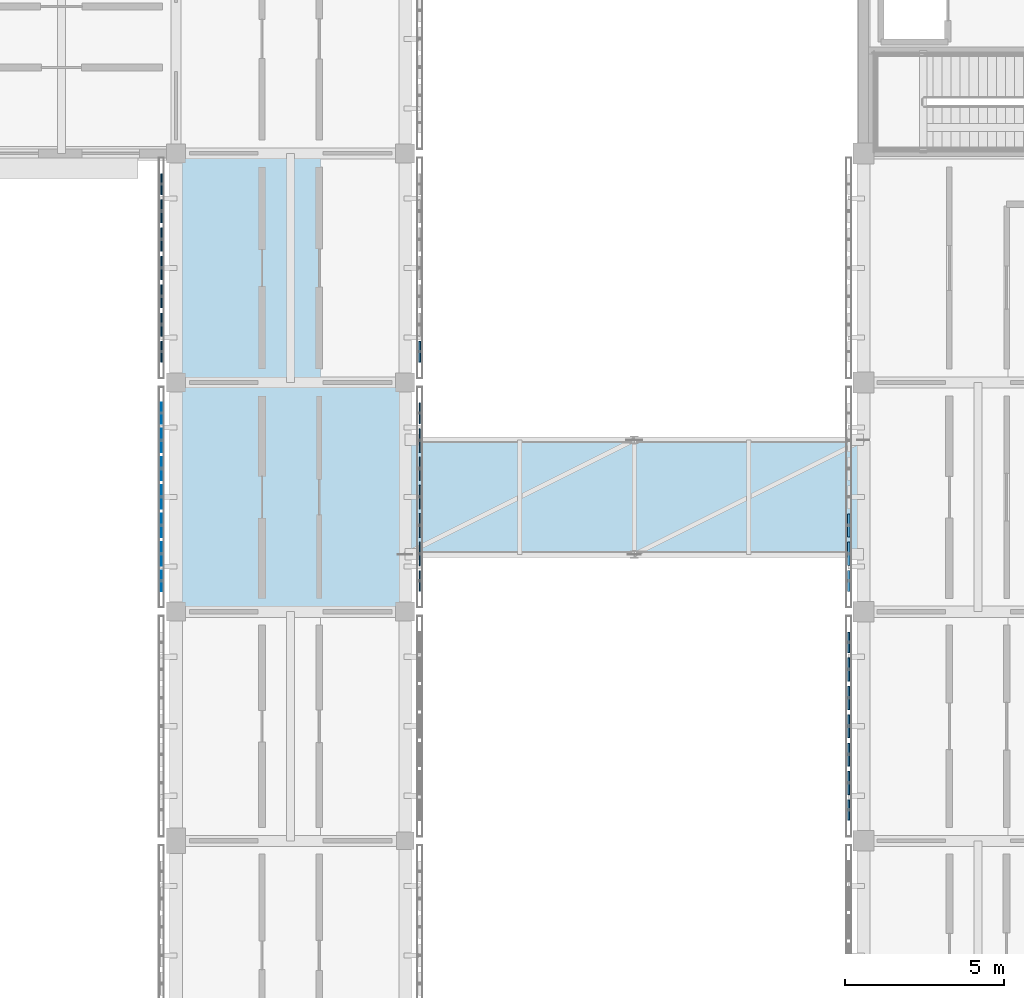
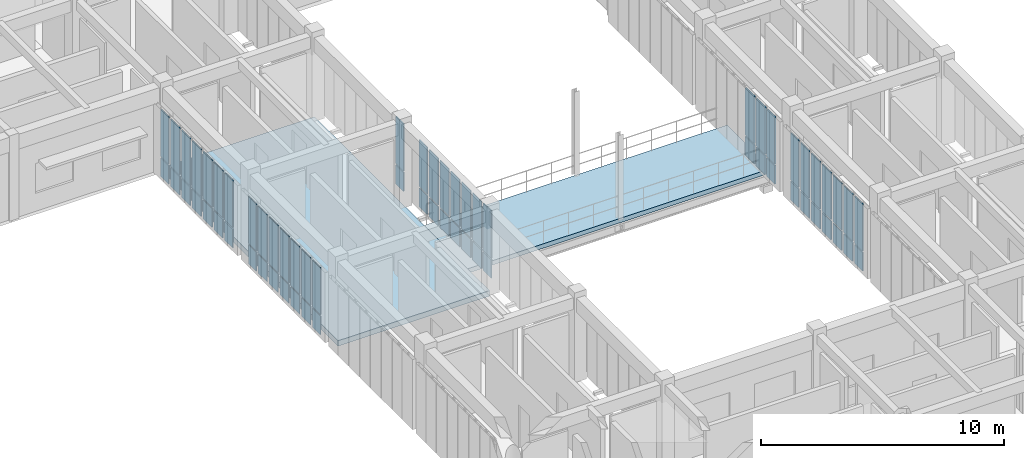
# One storey, part 109 of 171: 64 plates, 2 slabs, 6 elements without a shape of their own.
"""IFC4 building model written with IfcOpenShell, lengths in metres."""

from ifc_helpers import new_model, si_unit, direction, frame, origin, origin_2d, place, context, subcontext, project, spatial, polyline, rectangle, outline, extrude, material, layer, layer_set, type_object, element, aggregate, save


model = new_model("IFC4")

# Units and contexts
model_context = context("Model", 3, precision=1e-05, world=origin(), true_north=direction((0.0, 1.0)))
body_context = subcontext(model_context, "Body", "Model", "MODEL_VIEW")
ifc_project = project(units=[si_unit("LENGTHUNIT", "METRE"), si_unit("AREAUNIT", "SQUARE_METRE"), si_unit("VOLUMEUNIT", "CUBIC_METRE"), si_unit("PLANEANGLEUNIT", "RADIAN"), si_unit("MASSUNIT", "GRAM", prefix="KILO")], contexts=[model_context])

# Site, building, storey
site_placement = place(None, origin())
site = spatial("IfcSite", under=ifc_project, at=site_placement, CompositionType="ELEMENT")
building_placement = place(site_placement, origin())
building = spatial("IfcBuilding", under=site, at=building_placement, Name="Aldebral Square Health Centre", CompositionType="ELEMENT")
storey_placement = place(building_placement, frame((0.0, 0.0, 4.5)))
storey = spatial("IfcBuildingStorey", under=building, at=storey_placement, Name="L01", CompositionType="ELEMENT", Elevation=4.5)

# Curtain wall, plates
ifc_material_1 = material(Name="Aluminium and low-E solar glass", Category="aluminium")
curtain_wall_type = type_object("IfcCurtainWallType", Name="CW-FIN-SYS", PredefinedType="USERDEFINED", material=ifc_material_1)
curtain_wall_1_placement = place(storey_placement, origin())
curtain_wall_1 = element("IfcCurtainWall", 1, at=curtain_wall_1_placement, inside=storey, type_object=curtain_wall_type, Name="L01 V5 finned curtain wall L01-V5-19-11-W", ObjectType="SOLAR_CURTAIN_WALL", PredefinedType="USERDEFINED")
ifc_material_2 = material(Name="Solar-control low-E double glass", Category="glass")
ifc_layer_1 = layer(ifc_material_2, 0.030029296875, Name="Solar-control low-E double glass", Category="glass")
ifc_layer_set_1 = layer_set([ifc_layer_1], Name="Solar-control low-E double glass")
plate_type_1 = type_object("IfcPlateType", Name="CWP-GLZ-2", PredefinedType="CURTAIN_PANEL", material=ifc_layer_set_1)
plate_1_placement = place(storey_placement, frame((136.340087890625, 85.434326171875, 0.074951171875), z_axis=(0.0, 0.0, 1.0), x_axis=(0.0, -1.0, 0.0)))
plate_1 = element("IfcPlate", 2, at=plate_1_placement, type_object=plate_type_1, Name="CW1 panel 1.1", PredefinedType="CURTAIN_PANEL", context=body_context, shape_type="SweptSolid", body=[
    extrude(rectangle(XDim=0.6513671875, YDim=0.030029296875, at=origin_2d()), origin(), (0.0, 0.0, 1.0), 0.9375),
])
plate_2_placement = place(storey_placement, frame((136.340087890625, 85.434326171875, 1.087646484375), z_axis=(0.0, 0.0, 1.0), x_axis=(0.0, -1.0, 0.0)))
plate_2 = element("IfcPlate", 3, at=plate_2_placement, type_object=plate_type_1, Name="CW1 panel 1.2", PredefinedType="CURTAIN_PANEL", context=body_context, shape_type="SweptSolid", body=[
    extrude(rectangle(XDim=0.6513671875, YDim=0.030029296875, at=origin_2d()), origin(), (0.0, 0.0, 1.0), 2.357421875),
])
plate_3_placement = place(storey_placement, frame((136.340087890625, 84.582763671875, 0.074951171875), z_axis=(0.0, 0.0, 1.0), x_axis=(0.0, -1.0, 0.0)))
plate_3 = element("IfcPlate", 4, at=plate_3_placement, type_object=plate_type_1, Name="CW1 panel 2.1", PredefinedType="CURTAIN_PANEL", context=body_context, shape_type="SweptSolid", body=[
    extrude(rectangle(XDim=0.7314453125, YDim=0.030029296875, at=origin_2d()), origin(), (0.0, 0.0, 1.0), 0.9375),
])
plate_4_placement = place(storey_placement, frame((136.340087890625, 84.582763671875, 1.087646484375), z_axis=(0.0, 0.0, 1.0), x_axis=(0.0, -1.0, 0.0)))
plate_4 = element("IfcPlate", 5, at=plate_4_placement, type_object=plate_type_1, Name="CW1 panel 2.2", PredefinedType="CURTAIN_PANEL", context=body_context, shape_type="SweptSolid", body=[
    extrude(rectangle(XDim=0.7314453125, YDim=0.030029296875, at=origin_2d()), origin(), (0.0, 0.0, 1.0), 2.357421875),
])
plate_5_placement = place(storey_placement, frame((136.340087890625, 83.69140625, 0.074951171875), z_axis=(0.0, 0.0, 1.0), x_axis=(0.0, -1.0, 0.0)))
plate_5 = element("IfcPlate", 6, at=plate_5_placement, type_object=plate_type_1, Name="CW1 panel 3.1", PredefinedType="CURTAIN_PANEL", context=body_context, shape_type="SweptSolid", body=[
    extrude(rectangle(XDim=0.7314453125, YDim=0.030029296875, at=origin_2d()), origin(), (0.0, 0.0, 1.0), 0.9375),
])
plate_6_placement = place(storey_placement, frame((136.340087890625, 83.69140625, 1.087646484375), z_axis=(0.0, 0.0, 1.0), x_axis=(0.0, -1.0, 0.0)))
plate_6 = element("IfcPlate", 7, at=plate_6_placement, type_object=plate_type_1, Name="CW1 panel 3.2", PredefinedType="CURTAIN_PANEL", context=body_context, shape_type="SweptSolid", body=[
    extrude(rectangle(XDim=0.7314453125, YDim=0.030029296875, at=origin_2d()), origin(), (0.0, 0.0, 1.0), 2.357421875),
])
plate_7_placement = place(storey_placement, frame((136.340087890625, 82.800048828125, 0.074951171875), z_axis=(0.0, 0.0, 1.0), x_axis=(0.0, -1.0, 0.0)))
plate_7 = element("IfcPlate", 8, at=plate_7_placement, type_object=plate_type_1, Name="CW1 panel 4.1", PredefinedType="CURTAIN_PANEL", context=body_context, shape_type="SweptSolid", body=[
    extrude(rectangle(XDim=0.7314453125, YDim=0.030029296875, at=origin_2d()), origin(), (0.0, 0.0, 1.0), 0.9375),
])
plate_8_placement = place(storey_placement, frame((136.340087890625, 82.800048828125, 1.087646484375), z_axis=(0.0, 0.0, 1.0), x_axis=(0.0, -1.0, 0.0)))
plate_8 = element("IfcPlate", 9, at=plate_8_placement, type_object=plate_type_1, Name="CW1 panel 4.2", PredefinedType="CURTAIN_PANEL", context=body_context, shape_type="SweptSolid", body=[
    extrude(rectangle(XDim=0.7314453125, YDim=0.030029296875, at=origin_2d()), origin(), (0.0, 0.0, 1.0), 2.357421875),
])
plate_9_placement = place(storey_placement, frame((136.340087890625, 81.90869140625, 0.074951171875), z_axis=(0.0, 0.0, 1.0), x_axis=(0.0, -1.0, 0.0)))
plate_9 = element("IfcPlate", 10, at=plate_9_placement, type_object=plate_type_1, Name="CW1 panel 5.1", PredefinedType="CURTAIN_PANEL", context=body_context, shape_type="SweptSolid", body=[
    extrude(rectangle(XDim=0.7314453125, YDim=0.030029296875, at=origin_2d()), origin(), (0.0, 0.0, 1.0), 0.9375),
])
plate_10_placement = place(storey_placement, frame((136.340087890625, 81.90869140625, 1.087646484375), z_axis=(0.0, 0.0, 1.0), x_axis=(0.0, -1.0, 0.0)))
plate_10 = element("IfcPlate", 11, at=plate_10_placement, type_object=plate_type_1, Name="CW1 panel 5.2", PredefinedType="CURTAIN_PANEL", context=body_context, shape_type="SweptSolid", body=[
    extrude(rectangle(XDim=0.7314453125, YDim=0.030029296875, at=origin_2d()), origin(), (0.0, 0.0, 1.0), 2.357421875),
])
plate_11_placement = place(storey_placement, frame((136.340087890625, 81.01708984375, 0.074951171875), z_axis=(0.0, 0.0, 1.0), x_axis=(0.0, -1.0, 0.0)))
plate_11 = element("IfcPlate", 12, at=plate_11_placement, type_object=plate_type_1, Name="CW1 panel 6.1", PredefinedType="CURTAIN_PANEL", context=body_context, shape_type="SweptSolid", body=[
    extrude(rectangle(XDim=0.7314453125, YDim=0.030029296875, at=origin_2d()), origin(), (0.0, 0.0, 1.0), 0.9375),
])
plate_12_placement = place(storey_placement, frame((136.340087890625, 81.01708984375, 1.087646484375), z_axis=(0.0, 0.0, 1.0), x_axis=(0.0, -1.0, 0.0)))
plate_12 = element("IfcPlate", 13, at=plate_12_placement, type_object=plate_type_1, Name="CW1 panel 6.2", PredefinedType="CURTAIN_PANEL", context=body_context, shape_type="SweptSolid", body=[
    extrude(rectangle(XDim=0.7314453125, YDim=0.030029296875, at=origin_2d()), origin(), (0.0, 0.0, 1.0), 2.357421875),
])
plate_13_placement = place(storey_placement, frame((136.340087890625, 80.165771484375, 0.074951171875), z_axis=(0.0, 0.0, 1.0), x_axis=(0.0, -1.0, 0.0)))
plate_13 = element("IfcPlate", 14, at=plate_13_placement, type_object=plate_type_1, Name="CW1 panel 7.1", PredefinedType="CURTAIN_PANEL", context=body_context, shape_type="SweptSolid", body=[
    extrude(rectangle(XDim=0.6513671875, YDim=0.030029296875, at=origin_2d()), origin(), (0.0, 0.0, 1.0), 0.9375),
])
plate_14_placement = place(storey_placement, frame((136.340087890625, 80.165771484375, 1.087646484375), z_axis=(0.0, 0.0, 1.0), x_axis=(0.0, -1.0, 0.0)))
plate_14 = element("IfcPlate", 15, at=plate_14_placement, type_object=plate_type_1, Name="CW1 panel 7.2", PredefinedType="CURTAIN_PANEL", context=body_context, shape_type="SweptSolid", body=[
    extrude(rectangle(XDim=0.6513671875, YDim=0.030029296875, at=origin_2d()), origin(), (0.0, 0.0, 1.0), 2.357421875),
])
aggregate(curtain_wall_1, [plate_1, plate_2, plate_3, plate_4, plate_5, plate_6, plate_7, plate_8, plate_9, plate_10, plate_11, plate_12, plate_13, plate_14])

curtain_wall_2_placement = place(storey_placement, origin())
curtain_wall_2 = element("IfcCurtainWall", 16, at=curtain_wall_2_placement, inside=storey, type_object=curtain_wall_type, Name="L01 V5 finned curtain wall L01-V5-19-11-E", ObjectType="SOLAR_CURTAIN_WALL", PredefinedType="USERDEFINED")
ifc_layer_2 = layer(ifc_material_2, 0.0400390625, Name="Solar-control low-E double glass", Category="glass")
ifc_layer_set_2 = layer_set([ifc_layer_2], Name="Solar-control low-E double glass")
plate_type_2 = type_object("IfcPlateType", Name="CWP-GLZ-3", PredefinedType="CURTAIN_PANEL", material=ifc_layer_set_2)
plate_15_placement = place(storey_placement, frame((144.4599609375, 80.165771484375, 0.074951171875), z_axis=(0.0, 0.0, 1.0), x_axis=(0.0, 1.0, 0.0)))
plate_15 = element("IfcPlate", 17, at=plate_15_placement, type_object=plate_type_2, Name="CW1 panel 1.1", PredefinedType="CURTAIN_PANEL", context=body_context, shape_type="SweptSolid", body=[
    extrude(rectangle(XDim=0.6513671875, YDim=0.0400390625, at=origin_2d()), origin(), (0.0, 0.0, 1.0), 0.9375),
])
plate_16_placement = place(storey_placement, frame((144.4599609375, 80.165771484375, 1.087646484375), z_axis=(0.0, 0.0, 1.0), x_axis=(0.0, 1.0, 0.0)))
plate_16 = element("IfcPlate", 18, at=plate_16_placement, type_object=plate_type_2, Name="CW1 panel 1.2", PredefinedType="CURTAIN_PANEL", context=body_context, shape_type="SweptSolid", body=[
    extrude(rectangle(XDim=0.6513671875, YDim=0.0400390625, at=origin_2d()), origin(), (0.0, 0.0, 1.0), 2.357421875),
])
plate_17_placement = place(storey_placement, frame((144.4599609375, 81.01708984375, 0.074951171875), z_axis=(0.0, 0.0, 1.0), x_axis=(0.0, 1.0, 0.0)))
plate_17 = element("IfcPlate", 19, at=plate_17_placement, type_object=plate_type_2, Name="CW1 panel 2.1", PredefinedType="CURTAIN_PANEL", context=body_context, shape_type="SweptSolid", body=[
    extrude(rectangle(XDim=0.7314453125, YDim=0.0400390625, at=origin_2d()), origin(), (0.0, 0.0, 1.0), 0.9375),
])
plate_18_placement = place(storey_placement, frame((144.4599609375, 81.01708984375, 1.087646484375), z_axis=(0.0, 0.0, 1.0), x_axis=(0.0, 1.0, 0.0)))
plate_18 = element("IfcPlate", 20, at=plate_18_placement, type_object=plate_type_2, Name="CW1 panel 2.2", PredefinedType="CURTAIN_PANEL", context=body_context, shape_type="SweptSolid", body=[
    extrude(rectangle(XDim=0.7314453125, YDim=0.0400390625, at=origin_2d()), origin(), (0.0, 0.0, 1.0), 2.357421875),
])
plate_19_placement = place(storey_placement, frame((144.4599609375, 81.90869140625, 0.074951171875), z_axis=(0.0, 0.0, 1.0), x_axis=(0.0, 1.0, 0.0)))
plate_19 = element("IfcPlate", 21, at=plate_19_placement, type_object=plate_type_2, Name="CW1 panel 3.1", PredefinedType="CURTAIN_PANEL", context=body_context, shape_type="SweptSolid", body=[
    extrude(rectangle(XDim=0.7314453125, YDim=0.0400390625, at=origin_2d()), origin(), (0.0, 0.0, 1.0), 0.9375),
])
plate_20_placement = place(storey_placement, frame((144.4599609375, 81.90869140625, 1.087646484375), z_axis=(0.0, 0.0, 1.0), x_axis=(0.0, 1.0, 0.0)))
plate_20 = element("IfcPlate", 22, at=plate_20_placement, type_object=plate_type_2, Name="CW1 panel 3.2", PredefinedType="CURTAIN_PANEL", context=body_context, shape_type="SweptSolid", body=[
    extrude(rectangle(XDim=0.7314453125, YDim=0.0400390625, at=origin_2d()), origin(), (0.0, 0.0, 1.0), 2.357421875),
])
plate_21_placement = place(storey_placement, frame((144.4599609375, 82.800048828125, 0.074951171875), z_axis=(0.0, 0.0, 1.0), x_axis=(0.0, 1.0, 0.0)))
plate_21 = element("IfcPlate", 23, at=plate_21_placement, type_object=plate_type_2, Name="CW1 panel 4.1", PredefinedType="CURTAIN_PANEL", context=body_context, shape_type="SweptSolid", body=[
    extrude(rectangle(XDim=0.7314453125, YDim=0.0400390625, at=origin_2d()), origin(), (0.0, 0.0, 1.0), 0.9375),
])
plate_22_placement = place(storey_placement, frame((144.4599609375, 82.800048828125, 1.087646484375), z_axis=(0.0, 0.0, 1.0), x_axis=(0.0, 1.0, 0.0)))
plate_22 = element("IfcPlate", 24, at=plate_22_placement, type_object=plate_type_2, Name="CW1 panel 4.2", PredefinedType="CURTAIN_PANEL", context=body_context, shape_type="SweptSolid", body=[
    extrude(rectangle(XDim=0.7314453125, YDim=0.0400390625, at=origin_2d()), origin(), (0.0, 0.0, 1.0), 2.357421875),
])
plate_23_placement = place(storey_placement, frame((144.4599609375, 83.69140625, 0.074951171875), z_axis=(0.0, 0.0, 1.0), x_axis=(0.0, 1.0, 0.0)))
plate_23 = element("IfcPlate", 25, at=plate_23_placement, type_object=plate_type_2, Name="CW1 panel 5.1", PredefinedType="CURTAIN_PANEL", context=body_context, shape_type="SweptSolid", body=[
    extrude(rectangle(XDim=0.7314453125, YDim=0.0400390625, at=origin_2d()), origin(), (0.0, 0.0, 1.0), 0.9375),
])
plate_24_placement = place(storey_placement, frame((144.4599609375, 83.69140625, 1.087646484375), z_axis=(0.0, 0.0, 1.0), x_axis=(0.0, 1.0, 0.0)))
plate_24 = element("IfcPlate", 26, at=plate_24_placement, type_object=plate_type_2, Name="CW1 panel 5.2", PredefinedType="CURTAIN_PANEL", context=body_context, shape_type="SweptSolid", body=[
    extrude(rectangle(XDim=0.7314453125, YDim=0.0400390625, at=origin_2d()), origin(), (0.0, 0.0, 1.0), 2.357421875),
])
plate_25_placement = place(storey_placement, frame((144.4599609375, 84.582763671875, 0.074951171875), z_axis=(0.0, 0.0, 1.0), x_axis=(0.0, 1.0, 0.0)))
plate_25 = element("IfcPlate", 27, at=plate_25_placement, type_object=plate_type_2, Name="CW1 panel 6.1", PredefinedType="CURTAIN_PANEL", context=body_context, shape_type="SweptSolid", body=[
    extrude(rectangle(XDim=0.7314453125, YDim=0.0400390625, at=origin_2d()), origin(), (0.0, 0.0, 1.0), 0.9375),
])
plate_26_placement = place(storey_placement, frame((144.4599609375, 84.582763671875, 1.087646484375), z_axis=(0.0, 0.0, 1.0), x_axis=(0.0, 1.0, 0.0)))
plate_26 = element("IfcPlate", 28, at=plate_26_placement, type_object=plate_type_2, Name="CW1 panel 6.2", PredefinedType="CURTAIN_PANEL", context=body_context, shape_type="SweptSolid", body=[
    extrude(rectangle(XDim=0.7314453125, YDim=0.0400390625, at=origin_2d()), origin(), (0.0, 0.0, 1.0), 2.357421875),
])
plate_27_placement = place(storey_placement, frame((144.4599609375, 85.434326171875, 0.074951171875), z_axis=(0.0, 0.0, 1.0), x_axis=(0.0, 1.0, 0.0)))
plate_27 = element("IfcPlate", 29, at=plate_27_placement, type_object=plate_type_2, Name="CW1 panel 7.1", PredefinedType="CURTAIN_PANEL", context=body_context, shape_type="SweptSolid", body=[
    extrude(rectangle(XDim=0.6513671875, YDim=0.0400390625, at=origin_2d()), origin(), (0.0, 0.0, 1.0), 0.9375),
])
plate_28_placement = place(storey_placement, frame((144.4599609375, 85.434326171875, 1.087646484375), z_axis=(0.0, 0.0, 1.0), x_axis=(0.0, 1.0, 0.0)))
plate_28 = element("IfcPlate", 30, at=plate_28_placement, type_object=plate_type_2, Name="CW1 panel 7.2", PredefinedType="CURTAIN_PANEL", context=body_context, shape_type="SweptSolid", body=[
    extrude(rectangle(XDim=0.6513671875, YDim=0.0400390625, at=origin_2d()), origin(), (0.0, 0.0, 1.0), 2.357421875),
])
aggregate(curtain_wall_2, [plate_15, plate_16, plate_17, plate_18, plate_19, plate_20, plate_21, plate_22, plate_23, plate_24, plate_25, plate_26, plate_27, plate_28])

curtain_wall_3_placement = place(storey_placement, origin())
curtain_wall_3 = element("IfcCurtainWall", 31, at=curtain_wall_3_placement, inside=storey, type_object=curtain_wall_type, Name="L01 V5 finned curtain wall L01-V5-19-12-W", ObjectType="SOLAR_CURTAIN_WALL", PredefinedType="USERDEFINED")
ifc_layer_3 = layer(ifc_material_2, 0.050048828125, Name="Solar-control low-E double glass", Category="glass")
ifc_layer_set_3 = layer_set([ifc_layer_3], Name="Solar-control low-E double glass")
plate_type_3 = type_object("IfcPlateType", Name="CWP-GLZ-4", PredefinedType="CURTAIN_PANEL", material=ifc_layer_set_3)
plate_29_placement = place(storey_placement, frame((136.340087890625, 92.63427734375, 0.074951171875), z_axis=(0.0, 0.0, 1.0), x_axis=(0.0, -1.0, 0.0)))
plate_29 = element("IfcPlate", 32, at=plate_29_placement, type_object=plate_type_3, Name="CW1 panel 1.1", PredefinedType="CURTAIN_PANEL", context=body_context, shape_type="SweptSolid", body=[
    extrude(rectangle(XDim=0.6513671875, YDim=0.050048828125, at=origin_2d()), origin(), (0.0, 0.0, 1.0), 0.9375),
])
plate_30_placement = place(storey_placement, frame((136.340087890625, 92.63427734375, 1.087646484375), z_axis=(0.0, 0.0, 1.0), x_axis=(0.0, -1.0, 0.0)))
plate_30 = element("IfcPlate", 33, at=plate_30_placement, type_object=plate_type_3, Name="CW1 panel 1.2", PredefinedType="CURTAIN_PANEL", context=body_context, shape_type="SweptSolid", body=[
    extrude(rectangle(XDim=0.6513671875, YDim=0.050048828125, at=origin_2d()), origin(), (0.0, 0.0, 1.0), 2.357421875),
])
plate_31_placement = place(storey_placement, frame((136.340087890625, 91.782958984375, 0.074951171875), z_axis=(0.0, 0.0, 1.0), x_axis=(0.0, -1.0, 0.0)))
plate_31 = element("IfcPlate", 34, at=plate_31_placement, type_object=plate_type_3, Name="CW1 panel 2.1", PredefinedType="CURTAIN_PANEL", context=body_context, shape_type="SweptSolid", body=[
    extrude(rectangle(XDim=0.7314453125, YDim=0.050048828125, at=origin_2d()), origin(), (0.0, 0.0, 1.0), 0.9375),
])
plate_32_placement = place(storey_placement, frame((136.340087890625, 91.782958984375, 1.087646484375), z_axis=(0.0, 0.0, 1.0), x_axis=(0.0, -1.0, 0.0)))
plate_32 = element("IfcPlate", 35, at=plate_32_placement, type_object=plate_type_3, Name="CW1 panel 2.2", PredefinedType="CURTAIN_PANEL", context=body_context, shape_type="SweptSolid", body=[
    extrude(rectangle(XDim=0.7314453125, YDim=0.050048828125, at=origin_2d()), origin(), (0.0, 0.0, 1.0), 2.357421875),
])
plate_33_placement = place(storey_placement, frame((136.340087890625, 90.891357421875, 0.074951171875), z_axis=(0.0, 0.0, 1.0), x_axis=(0.0, -1.0, 0.0)))
plate_33 = element("IfcPlate", 36, at=plate_33_placement, type_object=plate_type_3, Name="CW1 panel 3.1", PredefinedType="CURTAIN_PANEL", context=body_context, shape_type="SweptSolid", body=[
    extrude(rectangle(XDim=0.7314453125, YDim=0.050048828125, at=origin_2d()), origin(), (0.0, 0.0, 1.0), 0.9375),
])
plate_34_placement = place(storey_placement, frame((136.340087890625, 90.891357421875, 1.087646484375), z_axis=(0.0, 0.0, 1.0), x_axis=(0.0, -1.0, 0.0)))
plate_34 = element("IfcPlate", 37, at=plate_34_placement, type_object=plate_type_3, Name="CW1 panel 3.2", PredefinedType="CURTAIN_PANEL", context=body_context, shape_type="SweptSolid", body=[
    extrude(rectangle(XDim=0.7314453125, YDim=0.050048828125, at=origin_2d()), origin(), (0.0, 0.0, 1.0), 2.357421875),
])
plate_35_placement = place(storey_placement, frame((136.340087890625, 90.0, 0.074951171875), z_axis=(0.0, 0.0, 1.0), x_axis=(0.0, -1.0, 0.0)))
plate_35 = element("IfcPlate", 38, at=plate_35_placement, type_object=plate_type_3, Name="CW1 panel 4.1", PredefinedType="CURTAIN_PANEL", context=body_context, shape_type="SweptSolid", body=[
    extrude(rectangle(XDim=0.7314453125, YDim=0.050048828125, at=origin_2d()), origin(), (0.0, 0.0, 1.0), 0.9375),
])
plate_36_placement = place(storey_placement, frame((136.340087890625, 90.0, 1.087646484375), z_axis=(0.0, 0.0, 1.0), x_axis=(0.0, -1.0, 0.0)))
plate_36 = element("IfcPlate", 39, at=plate_36_placement, type_object=plate_type_3, Name="CW1 panel 4.2", PredefinedType="CURTAIN_PANEL", context=body_context, shape_type="SweptSolid", body=[
    extrude(rectangle(XDim=0.7314453125, YDim=0.050048828125, at=origin_2d()), origin(), (0.0, 0.0, 1.0), 2.357421875),
])
plate_37_placement = place(storey_placement, frame((136.340087890625, 89.108642578125, 0.074951171875), z_axis=(0.0, 0.0, 1.0), x_axis=(0.0, -1.0, 0.0)))
plate_37 = element("IfcPlate", 40, at=plate_37_placement, type_object=plate_type_3, Name="CW1 panel 5.1", PredefinedType="CURTAIN_PANEL", context=body_context, shape_type="SweptSolid", body=[
    extrude(rectangle(XDim=0.7314453125, YDim=0.050048828125, at=origin_2d()), origin(), (0.0, 0.0, 1.0), 0.9375),
])
plate_38_placement = place(storey_placement, frame((136.340087890625, 89.108642578125, 1.087646484375), z_axis=(0.0, 0.0, 1.0), x_axis=(0.0, -1.0, 0.0)))
plate_38 = element("IfcPlate", 41, at=plate_38_placement, type_object=plate_type_3, Name="CW1 panel 5.2", PredefinedType="CURTAIN_PANEL", context=body_context, shape_type="SweptSolid", body=[
    extrude(rectangle(XDim=0.7314453125, YDim=0.050048828125, at=origin_2d()), origin(), (0.0, 0.0, 1.0), 2.357421875),
])
plate_39_placement = place(storey_placement, frame((136.340087890625, 88.217041015625, 0.074951171875), z_axis=(0.0, 0.0, 1.0), x_axis=(0.0, -1.0, 0.0)))
plate_39 = element("IfcPlate", 42, at=plate_39_placement, type_object=plate_type_3, Name="CW1 panel 6.1", PredefinedType="CURTAIN_PANEL", context=body_context, shape_type="SweptSolid", body=[
    extrude(rectangle(XDim=0.7314453125, YDim=0.050048828125, at=origin_2d()), origin(), (0.0, 0.0, 1.0), 0.9375),
])
plate_40_placement = place(storey_placement, frame((136.340087890625, 88.217041015625, 1.087646484375), z_axis=(0.0, 0.0, 1.0), x_axis=(0.0, -1.0, 0.0)))
plate_40 = element("IfcPlate", 43, at=plate_40_placement, type_object=plate_type_3, Name="CW1 panel 6.2", PredefinedType="CURTAIN_PANEL", context=body_context, shape_type="SweptSolid", body=[
    extrude(rectangle(XDim=0.7314453125, YDim=0.050048828125, at=origin_2d()), origin(), (0.0, 0.0, 1.0), 2.357421875),
])
plate_41_placement = place(storey_placement, frame((136.340087890625, 87.36572265625, 0.074951171875), z_axis=(0.0, 0.0, 1.0), x_axis=(0.0, -1.0, 0.0)))
plate_41 = element("IfcPlate", 44, at=plate_41_placement, type_object=plate_type_3, Name="CW1 panel 7.1", PredefinedType="CURTAIN_PANEL", context=body_context, shape_type="SweptSolid", body=[
    extrude(rectangle(XDim=0.6513671875, YDim=0.050048828125, at=origin_2d()), origin(), (0.0, 0.0, 1.0), 0.9375),
])
plate_42_placement = place(storey_placement, frame((136.340087890625, 87.36572265625, 1.087646484375), z_axis=(0.0, 0.0, 1.0), x_axis=(0.0, -1.0, 0.0)))
plate_42 = element("IfcPlate", 45, at=plate_42_placement, type_object=plate_type_3, Name="CW1 panel 7.2", PredefinedType="CURTAIN_PANEL", context=body_context, shape_type="SweptSolid", body=[
    extrude(rectangle(XDim=0.6513671875, YDim=0.050048828125, at=origin_2d()), origin(), (0.0, 0.0, 1.0), 2.357421875),
])
aggregate(curtain_wall_3, [plate_29, plate_30, plate_31, plate_32, plate_33, plate_34, plate_35, plate_36, plate_37, plate_38, plate_39, plate_40, plate_41, plate_42])

curtain_wall_4_placement = place(storey_placement, origin())
curtain_wall_4 = element("IfcCurtainWall", 46, at=curtain_wall_4_placement, inside=storey, type_object=curtain_wall_type, Name="L01 V5 finned curtain wall L01-V5-22-10-W", ObjectType="SOLAR_CURTAIN_WALL", PredefinedType="USERDEFINED")
plate_43_placement = place(storey_placement, frame((157.93994140625, 78.234375, 0.074951171875), z_axis=(0.0, 0.0, 1.0), x_axis=(0.0, -1.0, 0.0)))
plate_43 = element("IfcPlate", 47, at=plate_43_placement, type_object=plate_type_3, Name="CW1 panel 1.1", PredefinedType="CURTAIN_PANEL", context=body_context, shape_type="SweptSolid", body=[
    extrude(rectangle(XDim=0.6513671875, YDim=0.050048828125, at=origin_2d()), origin(), (0.0, 0.0, 1.0), 0.9375),
])
plate_44_placement = place(storey_placement, frame((157.93994140625, 78.234375, 1.087646484375), z_axis=(0.0, 0.0, 1.0), x_axis=(0.0, -1.0, 0.0)))
plate_44 = element("IfcPlate", 48, at=plate_44_placement, type_object=plate_type_3, Name="CW1 panel 1.2", PredefinedType="CURTAIN_PANEL", context=body_context, shape_type="SweptSolid", body=[
    extrude(rectangle(XDim=0.6513671875, YDim=0.050048828125, at=origin_2d()), origin(), (0.0, 0.0, 1.0), 2.357421875),
])
plate_45_placement = place(storey_placement, frame((157.93994140625, 77.3828125, 0.074951171875), z_axis=(0.0, 0.0, 1.0), x_axis=(0.0, -1.0, 0.0)))
plate_45 = element("IfcPlate", 49, at=plate_45_placement, type_object=plate_type_3, Name="CW1 panel 2.1", PredefinedType="CURTAIN_PANEL", context=body_context, shape_type="SweptSolid", body=[
    extrude(rectangle(XDim=0.7314453125, YDim=0.050048828125, at=origin_2d()), origin(), (0.0, 0.0, 1.0), 0.9375),
])
plate_46_placement = place(storey_placement, frame((157.93994140625, 77.3828125, 1.087646484375), z_axis=(0.0, 0.0, 1.0), x_axis=(0.0, -1.0, 0.0)))
plate_46 = element("IfcPlate", 50, at=plate_46_placement, type_object=plate_type_3, Name="CW1 panel 2.2", PredefinedType="CURTAIN_PANEL", context=body_context, shape_type="SweptSolid", body=[
    extrude(rectangle(XDim=0.7314453125, YDim=0.050048828125, at=origin_2d()), origin(), (0.0, 0.0, 1.0), 2.357421875),
])
plate_47_placement = place(storey_placement, frame((157.93994140625, 76.491455078125, 0.074951171875), z_axis=(0.0, 0.0, 1.0), x_axis=(0.0, -1.0, 0.0)))
plate_47 = element("IfcPlate", 51, at=plate_47_placement, type_object=plate_type_3, Name="CW1 panel 3.1", PredefinedType="CURTAIN_PANEL", context=body_context, shape_type="SweptSolid", body=[
    extrude(rectangle(XDim=0.7314453125, YDim=0.050048828125, at=origin_2d()), origin(), (0.0, 0.0, 1.0), 0.9375),
])
plate_48_placement = place(storey_placement, frame((157.93994140625, 76.491455078125, 1.087646484375), z_axis=(0.0, 0.0, 1.0), x_axis=(0.0, -1.0, 0.0)))
plate_48 = element("IfcPlate", 52, at=plate_48_placement, type_object=plate_type_3, Name="CW1 panel 3.2", PredefinedType="CURTAIN_PANEL", context=body_context, shape_type="SweptSolid", body=[
    extrude(rectangle(XDim=0.7314453125, YDim=0.050048828125, at=origin_2d()), origin(), (0.0, 0.0, 1.0), 2.357421875),
])
plate_49_placement = place(storey_placement, frame((157.93994140625, 75.60009765625, 0.074951171875), z_axis=(0.0, 0.0, 1.0), x_axis=(0.0, -1.0, 0.0)))
plate_49 = element("IfcPlate", 53, at=plate_49_placement, type_object=plate_type_3, Name="CW1 panel 4.1", PredefinedType="CURTAIN_PANEL", context=body_context, shape_type="SweptSolid", body=[
    extrude(rectangle(XDim=0.7314453125, YDim=0.050048828125, at=origin_2d()), origin(), (0.0, 0.0, 1.0), 0.9375),
])
plate_50_placement = place(storey_placement, frame((157.93994140625, 75.60009765625, 1.087646484375), z_axis=(0.0, 0.0, 1.0), x_axis=(0.0, -1.0, 0.0)))
plate_50 = element("IfcPlate", 54, at=plate_50_placement, type_object=plate_type_3, Name="CW1 panel 4.2", PredefinedType="CURTAIN_PANEL", context=body_context, shape_type="SweptSolid", body=[
    extrude(rectangle(XDim=0.7314453125, YDim=0.050048828125, at=origin_2d()), origin(), (0.0, 0.0, 1.0), 2.357421875),
])
plate_51_placement = place(storey_placement, frame((157.93994140625, 74.70849609375, 0.074951171875), z_axis=(0.0, 0.0, 1.0), x_axis=(0.0, -1.0, 0.0)))
plate_51 = element("IfcPlate", 55, at=plate_51_placement, type_object=plate_type_3, Name="CW1 panel 5.1", PredefinedType="CURTAIN_PANEL", context=body_context, shape_type="SweptSolid", body=[
    extrude(rectangle(XDim=0.7314453125, YDim=0.050048828125, at=origin_2d()), origin(), (0.0, 0.0, 1.0), 0.9375),
])
plate_52_placement = place(storey_placement, frame((157.93994140625, 74.70849609375, 1.087646484375), z_axis=(0.0, 0.0, 1.0), x_axis=(0.0, -1.0, 0.0)))
plate_52 = element("IfcPlate", 56, at=plate_52_placement, type_object=plate_type_3, Name="CW1 panel 5.2", PredefinedType="CURTAIN_PANEL", context=body_context, shape_type="SweptSolid", body=[
    extrude(rectangle(XDim=0.7314453125, YDim=0.050048828125, at=origin_2d()), origin(), (0.0, 0.0, 1.0), 2.357421875),
])
plate_53_placement = place(storey_placement, frame((157.93994140625, 73.817138671875, 0.074951171875), z_axis=(0.0, 0.0, 1.0), x_axis=(0.0, -1.0, 0.0)))
plate_53 = element("IfcPlate", 57, at=plate_53_placement, type_object=plate_type_3, Name="CW1 panel 6.1", PredefinedType="CURTAIN_PANEL", context=body_context, shape_type="SweptSolid", body=[
    extrude(rectangle(XDim=0.7314453125, YDim=0.050048828125, at=origin_2d()), origin(), (0.0, 0.0, 1.0), 0.9375),
])
plate_54_placement = place(storey_placement, frame((157.93994140625, 73.817138671875, 1.087646484375), z_axis=(0.0, 0.0, 1.0), x_axis=(0.0, -1.0, 0.0)))
plate_54 = element("IfcPlate", 58, at=plate_54_placement, type_object=plate_type_3, Name="CW1 panel 6.2", PredefinedType="CURTAIN_PANEL", context=body_context, shape_type="SweptSolid", body=[
    extrude(rectangle(XDim=0.7314453125, YDim=0.050048828125, at=origin_2d()), origin(), (0.0, 0.0, 1.0), 2.357421875),
])
plate_55_placement = place(storey_placement, frame((157.93994140625, 72.9658203125, 0.074951171875), z_axis=(0.0, 0.0, 1.0), x_axis=(0.0, -1.0, 0.0)))
plate_55 = element("IfcPlate", 59, at=plate_55_placement, type_object=plate_type_3, Name="CW1 panel 7.1", PredefinedType="CURTAIN_PANEL", context=body_context, shape_type="SweptSolid", body=[
    extrude(rectangle(XDim=0.6513671875, YDim=0.050048828125, at=origin_2d()), origin(), (0.0, 0.0, 1.0), 0.9375),
])
plate_56_placement = place(storey_placement, frame((157.93994140625, 72.9658203125, 1.087646484375), z_axis=(0.0, 0.0, 1.0), x_axis=(0.0, -1.0, 0.0)))
plate_56 = element("IfcPlate", 60, at=plate_56_placement, type_object=plate_type_3, Name="CW1 panel 7.2", PredefinedType="CURTAIN_PANEL", context=body_context, shape_type="SweptSolid", body=[
    extrude(rectangle(XDim=0.6513671875, YDim=0.050048828125, at=origin_2d()), origin(), (0.0, 0.0, 1.0), 2.357421875),
])
aggregate(curtain_wall_4, [plate_43, plate_44, plate_45, plate_46, plate_47, plate_48, plate_49, plate_50, plate_51, plate_52, plate_53, plate_54, plate_55, plate_56])

curtain_wall_5_placement = place(storey_placement, origin())
curtain_wall_5 = element("IfcCurtainWall", 61, at=curtain_wall_5_placement, inside=storey, type_object=curtain_wall_type, Name="L01 V5 finned curtain wall L01-V5-19-12-E", ObjectType="SOLAR_CURTAIN_WALL", PredefinedType="USERDEFINED")
ifc_layer_4 = layer(ifc_material_2, 0.06005859375, Name="Solar-control low-E double glass", Category="glass")
ifc_layer_set_4 = layer_set([ifc_layer_4], Name="Solar-control low-E double glass")
plate_type_4 = type_object("IfcPlateType", Name="CWP-GLZ-5", PredefinedType="CURTAIN_PANEL", material=ifc_layer_set_4)
plate_57_placement = place(storey_placement, frame((144.4599609375, 87.36572265625, 0.074951171875), z_axis=(0.0, 0.0, 1.0), x_axis=(0.0, 1.0, 0.0)))
plate_57 = element("IfcPlate", 62, at=plate_57_placement, type_object=plate_type_4, Name="CW1 panel 1.1", PredefinedType="CURTAIN_PANEL", context=body_context, shape_type="SweptSolid", body=[
    extrude(rectangle(XDim=0.6513671875, YDim=0.06005859375, at=origin_2d()), origin(), (0.0, 0.0, 1.0), 0.9375),
])
plate_58_placement = place(storey_placement, frame((144.4599609375, 87.36572265625, 1.087646484375), z_axis=(0.0, 0.0, 1.0), x_axis=(0.0, 1.0, 0.0)))
plate_58 = element("IfcPlate", 63, at=plate_58_placement, type_object=plate_type_4, Name="CW1 panel 1.2", PredefinedType="CURTAIN_PANEL", context=body_context, shape_type="SweptSolid", body=[
    extrude(rectangle(XDim=0.6513671875, YDim=0.06005859375, at=origin_2d()), origin(), (0.0, 0.0, 1.0), 2.357421875),
])
aggregate(curtain_wall_5, [plate_57, plate_58])

curtain_wall_6_placement = place(storey_placement, origin())
curtain_wall_6 = element("IfcCurtainWall", 64, at=curtain_wall_6_placement, inside=storey, type_object=curtain_wall_type, Name="L01 V5 finned curtain wall L01-V5-22-11-W", ObjectType="SOLAR_CURTAIN_WALL", PredefinedType="USERDEFINED")
ifc_layer_5 = layer(ifc_material_2, 0.070068359375, Name="Solar-control low-E double glass", Category="glass")
ifc_layer_set_5 = layer_set([ifc_layer_5], Name="Solar-control low-E double glass")
plate_type_5 = type_object("IfcPlateType", Name="CWP-GLZ-6", PredefinedType="CURTAIN_PANEL", material=ifc_layer_set_5)
plate_59_placement = place(storey_placement, frame((157.93994140625, 81.90869140625, 0.074951171875), z_axis=(0.0, 0.0, 1.0), x_axis=(0.0, -1.0, 0.0)))
plate_59 = element("IfcPlate", 65, at=plate_59_placement, type_object=plate_type_5, Name="CW1 panel 5.1", PredefinedType="CURTAIN_PANEL", context=body_context, shape_type="SweptSolid", body=[
    extrude(rectangle(XDim=0.7314453125, YDim=0.070068359375, at=origin_2d()), origin(), (0.0, 0.0, 1.0), 0.9375),
])
plate_60_placement = place(storey_placement, frame((157.93994140625, 81.90869140625, 1.087646484375), z_axis=(0.0, 0.0, 1.0), x_axis=(0.0, -1.0, 0.0)))
plate_60 = element("IfcPlate", 66, at=plate_60_placement, type_object=plate_type_5, Name="CW1 panel 5.2", PredefinedType="CURTAIN_PANEL", context=body_context, shape_type="SweptSolid", body=[
    extrude(rectangle(XDim=0.7314453125, YDim=0.070068359375, at=origin_2d()), origin(), (0.0, 0.0, 1.0), 2.357421875),
])
plate_61_placement = place(storey_placement, frame((157.93994140625, 81.01708984375, 0.074951171875), z_axis=(0.0, 0.0, 1.0), x_axis=(0.0, -1.0, 0.0)))
plate_61 = element("IfcPlate", 67, at=plate_61_placement, type_object=plate_type_5, Name="CW1 panel 6.1", PredefinedType="CURTAIN_PANEL", context=body_context, shape_type="SweptSolid", body=[
    extrude(rectangle(XDim=0.7314453125, YDim=0.070068359375, at=origin_2d()), origin(), (0.0, 0.0, 1.0), 0.9375),
])
plate_62_placement = place(storey_placement, frame((157.93994140625, 81.01708984375, 1.087646484375), z_axis=(0.0, 0.0, 1.0), x_axis=(0.0, -1.0, 0.0)))
plate_62 = element("IfcPlate", 68, at=plate_62_placement, type_object=plate_type_5, Name="CW1 panel 6.2", PredefinedType="CURTAIN_PANEL", context=body_context, shape_type="SweptSolid", body=[
    extrude(rectangle(XDim=0.7314453125, YDim=0.070068359375, at=origin_2d()), origin(), (0.0, 0.0, 1.0), 2.357421875),
])
plate_63_placement = place(storey_placement, frame((157.93994140625, 80.165771484375, 0.074951171875), z_axis=(0.0, 0.0, 1.0), x_axis=(0.0, -1.0, 0.0)))
plate_63 = element("IfcPlate", 69, at=plate_63_placement, type_object=plate_type_5, Name="CW1 panel 7.1", PredefinedType="CURTAIN_PANEL", context=body_context, shape_type="SweptSolid", body=[
    extrude(rectangle(XDim=0.6513671875, YDim=0.070068359375, at=origin_2d()), origin(), (0.0, 0.0, 1.0), 0.9375),
])
plate_64_placement = place(storey_placement, frame((157.93994140625, 80.165771484375, 1.087646484375), z_axis=(0.0, 0.0, 1.0), x_axis=(0.0, -1.0, 0.0)))
plate_64 = element("IfcPlate", 70, at=plate_64_placement, type_object=plate_type_5, Name="CW1 panel 7.2", PredefinedType="CURTAIN_PANEL", context=body_context, shape_type="SweptSolid", body=[
    extrude(rectangle(XDim=0.6513671875, YDim=0.070068359375, at=origin_2d()), origin(), (0.0, 0.0, 1.0), 2.357421875),
])
aggregate(curtain_wall_6, [plate_59, plate_60, plate_61, plate_62, plate_63, plate_64])

# Slabs
ifc_material_3 = material(Name="Concrete C35/45", Category="concrete")
ifc_layer_6 = layer(ifc_material_3, 0.219970703125, Name="Concrete C35/45", Category="concrete")
ifc_layer_set_6 = layer_set([ifc_layer_6], Name="Concrete C35/45")
slab_type_1 = type_object("IfcSlabType", Name="SL-BRG-220", PredefinedType="FLOOR", material=ifc_layer_set_6)
slab_1_placement = place(storey_placement, frame((0.0, 0.0, -0.219970703125)))
element("IfcSlab", 71, at=slab_1_placement, inside=storey, type_object=slab_type_1, Name="East Light Court Bridge L01 deck slab", PredefinedType="FLOOR", context=body_context, shape_type="SweptSolid", body=[
    extrude(outline(polyline([(144.0, 81.0), (158.39990234375, 81.0), (158.39990234375, 84.60009765625), (144.0, 84.60009765625), (144.0, 81.0)])), origin(), (0.0, 0.0, 1.0), 0.219970703125),
])
ifc_layer_7 = layer(ifc_material_3, 0.27001953125, Name="Concrete C35/45", Category="concrete")
ifc_layer_set_7 = layer_set([ifc_layer_7], Name="Concrete C35/45")
slab_type_2 = type_object("IfcSlabType", Name="SL-FLR-270", PredefinedType="FLOOR", material=ifc_layer_set_7)
slab_2_placement = place(storey_placement, frame((0.0, 0.0, -0.27001953125)))
element("IfcSlab", 72, at=slab_2_placement, inside=storey, type_object=slab_type_2, Name="L01 V5 floor slab 6", PredefinedType="FLOOR", context=body_context, shape_type="SweptSolid", body=[
    extrude(outline(polyline([(136.800048828125, 79.199951171875), (136.800048828125, 86.39990234375), (136.800048828125, 93.60009765625), (144.0, 93.60009765625), (144.0, 86.39990234375), (144.0, 79.199951171875), (136.800048828125, 79.199951171875)])), origin(), (0.0, 0.0, 1.0), 0.27001953125),
])

save(model, "model.ifc")
